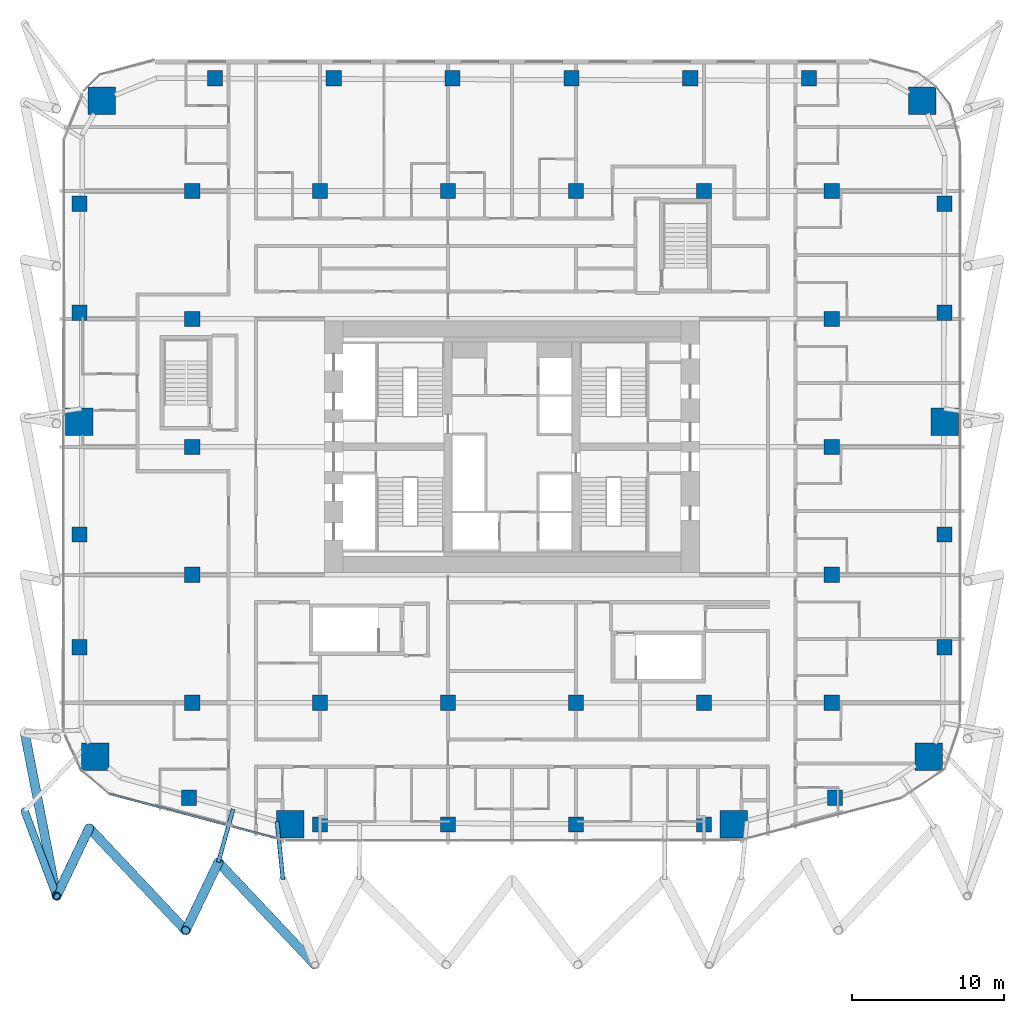
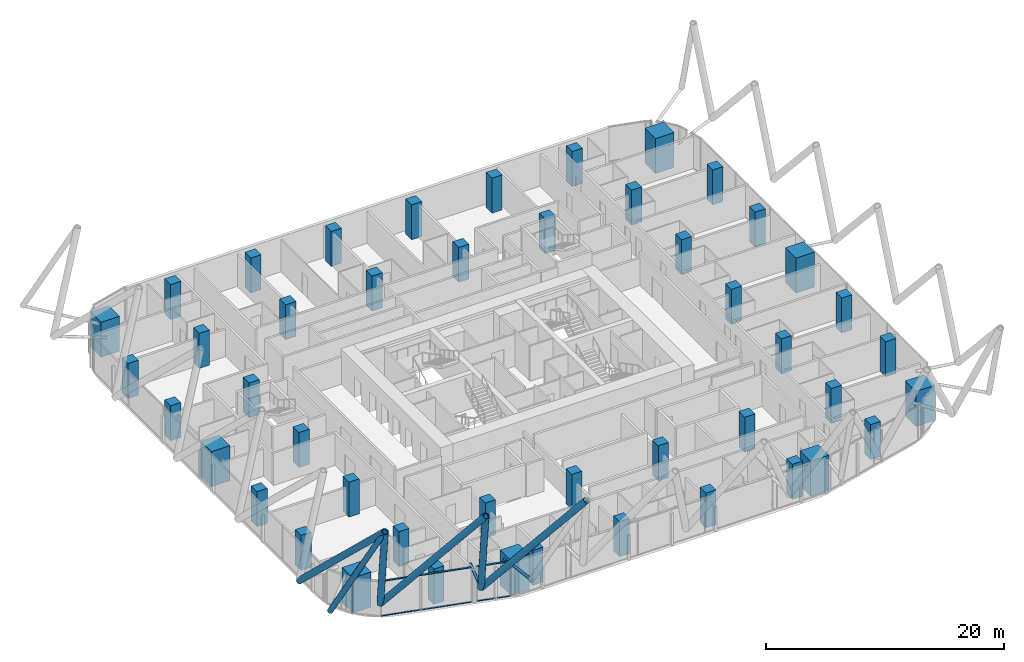
# One storey, part 1 of 36: 46 columns, 12 members, 2 elements without a shape of their own.
"""IFC4 building model written with IfcOpenShell, lengths in metres."""

from ifc_helpers import new_model, si_unit, direction, frame, origin, origin_2d, place, context, subcontext, project, spatial, rectangle, hollow_circle, extrude, material, layer, layer_set, material_profile, profile_set, type_object, element, aggregate, save


model = new_model("IFC4")

# Units and contexts
model_context = context("Model", 3, precision=1e-05, world=origin(), true_north=direction((0.0, 1.0)))
body_context = subcontext(model_context, "Body", "Model", "MODEL_VIEW")
ifc_project = project(units=[si_unit("LENGTHUNIT", "METRE"), si_unit("AREAUNIT", "SQUARE_METRE"), si_unit("VOLUMEUNIT", "CUBIC_METRE"), si_unit("PLANEANGLEUNIT", "RADIAN"), si_unit("MASSUNIT", "GRAM", prefix="KILO")], contexts=[model_context])

# Site, building, storey
site_placement = place(None, origin())
site = spatial("IfcSite", under=ifc_project, at=site_placement, CompositionType="ELEMENT")
building_placement = place(site_placement, origin())
building = spatial("IfcBuilding", under=site, at=building_placement, Name="Marenta Gate Hotel Tower", CompositionType="ELEMENT")
storey_placement = place(building_placement, frame((0.0, 0.0, 83.300048828125)))
storey = spatial("IfcBuildingStorey", under=building, at=storey_placement, Name="L19", CompositionType="ELEMENT", Elevation=83.300048828125)

# Columns
ifc_material_1 = material(Name="Concrete C80", Category="concrete")
ifc_material_profile_1 = material_profile(ifc_material_1, rectangle(XDim=1.0, YDim=1.0, at=origin_2d()), Name="1000 x 1000")
ifc_profile_set_1 = profile_set([ifc_material_profile_1], Name="Concrete C80")
column_type_1 = type_object("IfcColumnType", Name="Edge column 1000 x 1000 C80", PredefinedType="COLUMN", material=ifc_profile_set_1)
for number, where, z_axis, x_axis, name in (
    (1, (-28.39990234375, -4.751953125, 0.0), (0.0, 0.0, 1.0), (1.0, 0.0, 0.0), "L19-EC-SW-W-1"),
    (2, (-28.39990234375, 2.649169921875, 0.0), (0.0, 0.0, 1.0), (1.0, 0.0, 0.0), "L19-EC-SW-W-2"),
    (3, (-28.39990234375, 17.203125, 0.0), (0.0, 0.0, 1.0), (1.0, 0.0, 0.0), "L19-EC-W-NW-1"),
    (4, (-28.39990234375, 24.3564453125, 0.0), (0.0, 0.0, 1.0), (1.0, 0.0, 0.0), "L19-EC-W-NW-2"),
    (5, (-19.5068359375, 32.60009765625, 0.0), (0.0, 0.0, 1.0), (1.0, 0.0, 0.0), "L19-EC-NW-NE-1"),
    (6, (-11.7041015625, 32.60009765625, 0.0), (0.0, 0.0, 1.0), (1.0, 0.0, 0.0), "L19-EC-NW-NE-2"),
    (7, (-3.9013671875, 32.60009765625, 0.0), (0.0, 0.0, 1.0), (1.0, 0.0, 0.0), "L19-EC-NW-NE-3"),
    (8, (3.9013671875, 32.60009765625, 0.0), (0.0, 0.0, 1.0), (1.0, 0.0, 0.0), "L19-EC-NW-NE-4"),
    (9, (11.7041015625, 32.60009765625, 0.0), (0.0, 0.0, 1.0), (1.0, 0.0, 0.0), "L19-EC-NW-NE-5"),
    (10, (19.5068359375, 32.60009765625, 0.0), (0.0, 0.0, 1.0), (1.0, 0.0, 0.0), "L19-EC-NW-NE-6"),
    (11, (28.39990234375, 24.3564453125, 0.0), (0.0, 0.0, 1.0), (1.0, 0.0, 0.0), "L19-EC-NE-E-1"),
    (12, (28.39990234375, 17.203125, 0.0), (0.0, 0.0, 1.0), (1.0, 0.0, 0.0), "L19-EC-NE-E-2"),
    (13, (28.39990234375, 2.649169921875, 0.0), (0.0, 0.0, 1.0), (1.0, 0.0, 0.0), "L19-EC-E-SE-1"),
    (14, (28.39990234375, -4.751953125, 0.0), (0.0, 0.0, 1.0), (1.0, 0.0, 0.0), "L19-EC-E-SE-2"),
    (15, (21.206787109375, -14.63916015625, 0.0), (0.0, 0.0, 1.0), (1.0, 0.0, 0.0), "L19-EC-SE-SKE-1"),
    (16, (12.60009765625, -16.39990234375, 0.0), (0.0, 0.0, 1.0), (1.0, 0.0, 0.0), "L19-EC-SKE-SKW-1"),
    (17, (4.199951171875, -16.39990234375, 0.0), (0.0, 0.0, 1.0), (1.0, 0.0, 0.0), "L19-EC-SKE-SKW-2"),
    (18, (-4.199951171875, -16.39990234375, 0.0), (0.0, 0.0, 1.0), (1.0, 0.0, 0.0), "L19-EC-SKE-SKW-3"),
    (19, (-12.60009765625, -16.39990234375, 0.0), (0.0, 0.0, 1.0), (1.0, 0.0, 0.0), "L19-EC-SKE-SKW-4"),
    (20, (-21.206787109375, -14.63916015625, 0.0), (0.0, 0.0, 1.0), (1.0, 0.0, 0.0), "L19-EC-SKW-SW-1"),
):
    element("IfcColumn", number, at=place(storey_placement, frame(where, z_axis=z_axis, x_axis=x_axis)), inside=storey, type_object=column_type_1, Name=name, PredefinedType="COLUMN", context=body_context, shape_type="SweptSolid", body=[
        extrude(rectangle(XDim=1.0, YDim=1.0, at=origin_2d()), origin(), (0.0, 0.0, 1.0), 3.599853515625),
    ])
ifc_material_2 = material(Name="Concrete C80", Category="concrete")
ifc_material_profile_2 = material_profile(ifc_material_2, rectangle(XDim=1.0, YDim=1.0, at=origin_2d()), Name="1000 x 1000")
ifc_profile_set_2 = profile_set([ifc_material_profile_2], Name="Concrete C80")
column_type_2 = type_object("IfcColumnType", Name="Interior column 1000 x 1000 C80", PredefinedType="COLUMN", material=ifc_profile_set_2)
for number, where, z_axis, x_axis, name in (
    (21, (-21.0, -8.39990234375, 0.0), (0.0, 0.0, 1.0), (1.0, 0.0, 0.0), "L19-IC-4E"),
    (22, (-21.0, 0.0, 0.0), (0.0, 0.0, 1.0), (1.0, 0.0, 0.0), "L19-IC-4F"),
    (23, (-21.0, 8.39990234375, 0.0), (0.0, 0.0, 1.0), (1.0, 0.0, 0.0), "L19-IC-4G"),
    (24, (-21.0, 16.800048828125, 0.0), (0.0, 0.0, 1.0), (1.0, 0.0, 0.0), "L19-IC-4H"),
    (25, (-21.0, 25.199951171875, 0.0), (0.0, 0.0, 1.0), (1.0, 0.0, 0.0), "L19-IC-4I"),
    (26, (-12.60009765625, -8.39990234375, 0.0), (0.0, 0.0, 1.0), (1.0, 0.0, 0.0), "L19-IC-5E"),
    (27, (-12.60009765625, 25.199951171875, 0.0), (0.0, 0.0, 1.0), (1.0, 0.0, 0.0), "L19-IC-5I"),
    (28, (-4.199951171875, -8.39990234375, 0.0), (0.0, 0.0, 1.0), (1.0, 0.0, 0.0), "L19-IC-6E"),
    (29, (-4.199951171875, 25.199951171875, 0.0), (0.0, 0.0, 1.0), (1.0, 0.0, 0.0), "L19-IC-6I"),
    (30, (4.199951171875, -8.39990234375, 0.0), (0.0, 0.0, 1.0), (1.0, 0.0, 0.0), "L19-IC-7E"),
    (31, (4.199951171875, 25.199951171875, 0.0), (0.0, 0.0, 1.0), (1.0, 0.0, 0.0), "L19-IC-7I"),
    (32, (12.60009765625, -8.39990234375, 0.0), (0.0, 0.0, 1.0), (1.0, 0.0, 0.0), "L19-IC-8E"),
    (33, (12.60009765625, 25.199951171875, 0.0), (0.0, 0.0, 1.0), (1.0, 0.0, 0.0), "L19-IC-8I"),
    (34, (21.0, -8.39990234375, 0.0), (0.0, 0.0, 1.0), (1.0, 0.0, 0.0), "L19-IC-9E"),
    (35, (21.0, 0.0, 0.0), (0.0, 0.0, 1.0), (1.0, 0.0, 0.0), "L19-IC-9F"),
    (36, (21.0, 8.39990234375, 0.0), (0.0, 0.0, 1.0), (1.0, 0.0, 0.0), "L19-IC-9G"),
    (37, (21.0, 16.800048828125, 0.0), (0.0, 0.0, 1.0), (1.0, 0.0, 0.0), "L19-IC-9H"),
    (38, (21.0, 25.199951171875, 0.0), (0.0, 0.0, 1.0), (1.0, 0.0, 0.0), "L19-IC-9I"),
):
    element("IfcColumn", number, at=place(storey_placement, frame(where, z_axis=z_axis, x_axis=x_axis)), inside=storey, type_object=column_type_2, Name=name, PredefinedType="COLUMN", context=body_context, shape_type="SweptSolid", body=[
        extrude(rectangle(XDim=1.0, YDim=1.0, at=origin_2d()), origin(), (0.0, 0.0, 1.0), 3.599853515625),
    ])
ifc_material_3 = material(Name="Concrete C80", Category="concrete")
ifc_material_profile_3 = material_profile(ifc_material_3, rectangle(XDim=1.800048828125, YDim=1.800048828125, at=origin_2d()), Name="1800 x 1800")
ifc_profile_set_3 = profile_set([ifc_material_profile_3], Name="Concrete C80")
column_type_3 = type_object("IfcColumnType", Name="Mega column 1800 x 1800 C80", PredefinedType="COLUMN", material=ifc_profile_set_3)
for number, where, z_axis, x_axis, name in (
    (39, (-27.363037109375, -11.93310546875, 0.0), (0.0, 0.0, 1.0), (1.0, 0.0, 0.0), "L19-MC-SW"),
    (40, (-14.56640625, -16.374755859375, 0.0), (0.0, 0.0, 1.0), (1.0, 0.0, 0.0), "L19-MC-SKW"),
    (41, (14.56640625, -16.374755859375, 0.0), (0.0, 0.0, 1.0), (1.0, 0.0, 0.0), "L19-MC-SKE"),
    (42, (27.363037109375, -11.93310546875, 0.0), (0.0, 0.0, 1.0), (1.0, 0.0, 0.0), "L19-MC-SE"),
    (43, (28.39990234375, 10.050048828125, 0.0), (0.0, 0.0, 1.0), (1.0, 0.0, 0.0), "L19-MC-E"),
    (44, (26.935546875, 31.135498046875, 0.0), (0.0, 0.0, 1.0), (1.0, 0.0, 0.0), "L19-MC-NE"),
    (45, (-26.935546875, 31.135498046875, 0.0), (0.0, 0.0, 1.0), (1.0, 0.0, 0.0), "L19-MC-NW"),
    (46, (-28.39990234375, 10.050048828125, 0.0), (0.0, 0.0, 1.0), (1.0, 0.0, 0.0), "L19-MC-W"),
):
    element("IfcColumn", number, at=place(storey_placement, frame(where, z_axis=z_axis, x_axis=x_axis)), inside=storey, type_object=column_type_3, Name=name, PredefinedType="COLUMN", context=body_context, shape_type="SweptSolid", body=[
        extrude(rectangle(XDim=1.800048828125, YDim=1.800048828125, at=origin_2d()), origin(), (0.0, 0.0, 1.0), 3.599853515625),
    ])

# Members
ifc_material_4 = material(Name="Steel S355J2W", Category="steel")
ifc_material_profile_4 = material_profile(ifc_material_4, hollow_circle(Radius=0.25390625, WallThickness=0.0400390625, at=origin_2d()), Name="CHS 508x40")
ifc_profile_set_4 = profile_set([ifc_material_profile_4], Name="Steel S355J2W")
member_type_1 = type_object("IfcMemberType", Name="Diagrid corner post Z1 CHS 508x40", PredefinedType="POST", material=ifc_profile_set_4)
member_1_placement = place(storey_placement, frame((-32.0, -15.500244140625, 3.139892578125), z_axis=(0.170111239528, -0.453597012445, 0.874821076842), x_axis=(0.93632078934, 0.351145809387, 0.0)))
element("IfcMember", 47, at=member_1_placement, inside=storey, type_object=member_type_1, Name="L19-DR-5", PredefinedType="POST", context=body_context, shape_type="SweptSolid", body=[
    extrude(hollow_circle(Radius=0.25390625, WallThickness=0.0400390625, at=origin_2d()), origin(), (0.0, 0.0, 1.0), 12.345458984375),
])
ifc_material_5 = material(Name="Steel S355J2W", Category="steel")
ifc_material_profile_5 = material_profile(ifc_material_5, hollow_circle(Radius=0.304931640625, WallThickness=0.0400390625, at=origin_2d()), Name="CHS 610x40")
ifc_profile_set_5 = profile_set([ifc_material_profile_5], Name="Steel S355J2W")
member_type_2 = type_object("IfcMemberType", Name="Diagrid diagonal T1 CHS 610x40", PredefinedType="BRACE", material=ifc_profile_set_5)
member_2_placement = place(storey_placement, frame((-19.279296875, -18.875, 3.139892578125), z_axis=(0.446029354035, -0.473096826579, 0.759761283575), x_axis=(0.727615021165, 0.68598570027, 0.0)))
element("IfcMember", 48, at=member_2_placement, inside=storey, type_object=member_type_2, Name="L19-DG-21", PredefinedType="BRACE", context=body_context, shape_type="SweptSolid", body=[
    extrude(hollow_circle(Radius=0.304931640625, WallThickness=0.0400390625, at=origin_2d()), origin(), (0.0, 0.0, 1.0), 14.215087890625),
])
member_3_placement = place(storey_placement, frame((-19.279296875, -18.875, 3.139892578125), z_axis=(-0.1800738982, -0.376540560575, 0.908730211575), x_axis=(0.902144216193, -0.431434598971, 0.0)))
element("IfcMember", 49, at=member_3_placement, inside=storey, type_object=member_type_2, Name="L19-DG-22", PredefinedType="BRACE", context=body_context, shape_type="SweptSolid", body=[
    extrude(hollow_circle(Radius=0.304931640625, WallThickness=0.0400390625, at=origin_2d()), origin(), (0.0, 0.0, 1.0), 11.884765625),
])
member_4_placement = place(storey_placement, frame((-27.759765625, -16.625, 3.139892578125), z_axis=(0.446029354035, -0.473096826579, 0.759761283575), x_axis=(0.727615021165, 0.68598570027, 0.0)))
element("IfcMember", 50, at=member_4_placement, inside=storey, type_object=member_type_2, Name="L19-DG-23", PredefinedType="BRACE", context=body_context, shape_type="SweptSolid", body=[
    extrude(hollow_circle(Radius=0.304931640625, WallThickness=0.0400390625, at=origin_2d()), origin(), (0.0, 0.0, 1.0), 14.215087890625),
])
member_5_placement = place(storey_placement, frame((-27.759765625, -16.625, 3.139892578125), z_axis=(-0.1800738982, -0.376540560575, 0.908730211575), x_axis=(0.902144216193, -0.431434598971, 0.0)))
element("IfcMember", 51, at=member_5_placement, inside=storey, type_object=member_type_2, Name="L19-DG-24", PredefinedType="BRACE", context=body_context, shape_type="SweptSolid", body=[
    extrude(hollow_circle(Radius=0.304931640625, WallThickness=0.0400390625, at=origin_2d()), origin(), (0.0, 0.0, 1.0), 11.884765625),
])
member_6_placement = place(storey_placement, frame((-32.0, -10.330078125, 3.139892578125), z_axis=(0.136403114628, -0.69952185523, 0.701472283398), x_axis=(0.981514045442, 0.191390121478, 0.0)))
element("IfcMember", 52, at=member_6_placement, inside=storey, type_object=member_type_2, Name="L19-DG-25", PredefinedType="BRACE", context=body_context, shape_type="SweptSolid", body=[
    extrude(hollow_circle(Radius=0.304931640625, WallThickness=0.0400390625, at=origin_2d()), origin(), (0.0, 0.0, 1.0), 15.396240234375),
])
ifc_material_6 = material(Name="Steel S355J2W", Category="steel")
ifc_material_profile_6 = material_profile(ifc_material_6, hollow_circle(Radius=0.136474609375, WallThickness=0.012451171875, at=origin_2d()), Name="CHS 273x12.5")
ifc_profile_set_6 = profile_set([ifc_material_profile_6], Name="Steel S355J2W")
member_type_3 = type_object("IfcMemberType", Name="Floor tie CHS 273x12.5", PredefinedType="STRUT", material=ifc_profile_set_6)
member_7_placement = place(storey_placement, frame((-15.0390625, -20.0, 3.139892578125), z_axis=(-0.100858189127, 0.994900811984, 0.0), x_axis=(-0.994900811984, -0.100858189127, 0.0)))
element("IfcMember", 53, at=member_7_placement, inside=storey, type_object=member_type_3, Name="L19-DR-16", PredefinedType="STRUT", context=body_context, shape_type="SweptSolid", body=[
    extrude(hollow_circle(Radius=0.136474609375, WallThickness=0.012451171875, at=origin_2d()), origin(), (0.0, 0.0, 1.0), 3.836669921875),
])
member_8_placement = place(storey_placement, frame((-19.279296875, -18.875, 3.139892578125), z_axis=(0.267247742145, 0.963627855719, 0.0), x_axis=(-0.963627855719, 0.267247742145, 0.0)))
element("IfcMember", 54, at=member_8_placement, inside=storey, type_object=member_type_3, Name="L19-DR-17", PredefinedType="STRUT", context=body_context, shape_type="SweptSolid", body=[
    extrude(hollow_circle(Radius=0.136474609375, WallThickness=0.012451171875, at=origin_2d()), origin(), (0.0, 0.0, 1.0), 3.6240234375),
])

# Curtain wall, members
ifc_material_7 = material(Name="Tinted insulated glass in bronze anodised frame", Category="glass")
ifc_layer = layer(ifc_material_7, 0.1201171875)
ifc_layer_set = layer_set([ifc_layer], Name="Tinted insulated glass in bronze anodised frame")
curtain_wall_type = type_object("IfcCurtainWallType", Name="Tower unitised curtain wall CW1", PredefinedType="NOTDEFINED", material=ifc_layer_set)
curtain_wall_1_placement = place(storey_placement, origin())
curtain_wall_1 = element("IfcCurtainWall", 55, at=curtain_wall_1_placement, inside=storey, type_object=curtain_wall_type, Name="CW1 run G14", PredefinedType="NOTDEFINED")
ifc_material_8 = material(Name="Bronze anodised aluminium", Category="aluminium")
ifc_material_profile_7 = material_profile(ifc_material_8, rectangle(XDim=0.1201171875, YDim=0.06005859375, at=origin_2d()), Name="Transom CW1 60x120 bronze anodised aluminium")
ifc_profile_set_7 = profile_set([ifc_material_profile_7], Name="Bronze anodised aluminium")
member_type_4 = type_object("IfcMemberType", Name="Transom CW1 60x120 bronze anodised aluminium", PredefinedType="USERDEFINED", material=ifc_profile_set_7)
member_9_placement = place(storey_placement, frame((-26.393310546875, -14.3818359375, 0.030029296875), z_axis=(0.966375039194, -0.257136702208, 0.0), x_axis=(0.257136702208, 0.966375039194, 0.0)))
member_9 = element("IfcMember", 56, at=member_9_placement, type_object=member_type_4, Name="CW1 transom 1.1", ObjectType="TRANSOM", PredefinedType="USERDEFINED", context=body_context, shape_type="SweptSolid", body=[
    extrude(rectangle(XDim=0.1201171875, YDim=0.06005859375, at=origin_2d()), origin(), (0.0, 0.0, 1.0), 7.830078125),
])
member_10_placement = place(storey_placement, frame((-26.393310546875, -14.3818359375, 3.570068359375), z_axis=(0.966375039194, -0.257136702208, 0.0), x_axis=(0.257136702208, 0.966375039194, 0.0)))
member_10 = element("IfcMember", 57, at=member_10_placement, type_object=member_type_4, Name="CW1 transom 1.2", ObjectType="TRANSOM", PredefinedType="USERDEFINED", context=body_context, shape_type="SweptSolid", body=[
    extrude(rectangle(XDim=0.1201171875, YDim=0.06005859375, at=origin_2d()), origin(), (0.0, 0.0, 1.0), 7.830078125),
])
aggregate(curtain_wall_1, [member_9, member_10])

curtain_wall_2_placement = place(storey_placement, origin())
curtain_wall_2 = element("IfcCurtainWall", 58, at=curtain_wall_2_placement, inside=storey, type_object=curtain_wall_type, Name="CW1 run G16", PredefinedType="NOTDEFINED")
member_11_placement = place(storey_placement, frame((-18.330810546875, -16.527099609375, 0.030029296875), z_axis=(0.966366881065, -0.257167360255, 0.0), x_axis=(0.257167360255, 0.966366881065, 0.0)))
member_11 = element("IfcMember", 59, at=member_11_placement, type_object=member_type_4, Name="CW1 transom 1.1", ObjectType="TRANSOM", PredefinedType="USERDEFINED", context=body_context, shape_type="SweptSolid", body=[
    extrude(rectangle(XDim=0.1201171875, YDim=0.06005859375, at=origin_2d()), origin(), (0.0, 0.0, 1.0), 2.884033203125),
])
member_12_placement = place(storey_placement, frame((-18.330810546875, -16.527099609375, 3.570068359375), z_axis=(0.966366881065, -0.257167360255, 0.0), x_axis=(0.257167360255, 0.966366881065, 0.0)))
member_12 = element("IfcMember", 60, at=member_12_placement, type_object=member_type_4, Name="CW1 transom 1.2", ObjectType="TRANSOM", PredefinedType="USERDEFINED", context=body_context, shape_type="SweptSolid", body=[
    extrude(rectangle(XDim=0.1201171875, YDim=0.06005859375, at=origin_2d()), origin(), (0.0, 0.0, 1.0), 2.884033203125),
])
aggregate(curtain_wall_2, [member_11, member_12])

save(model, "model.ifc")
